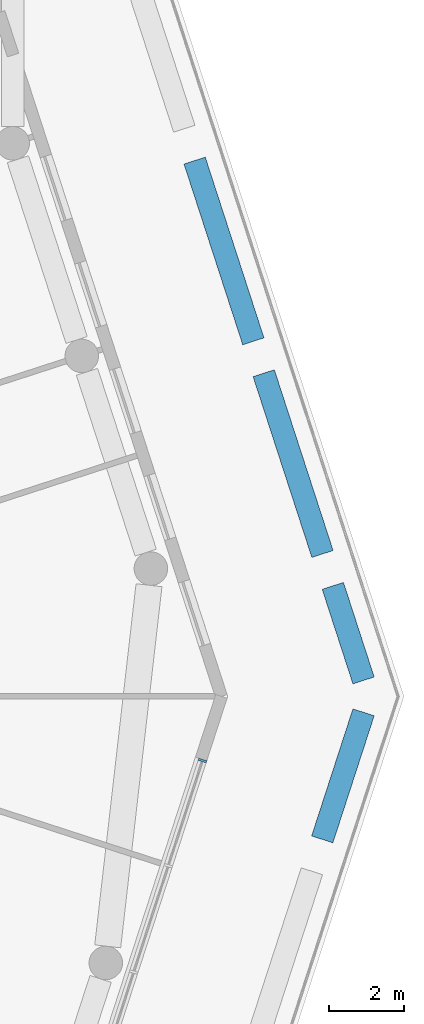
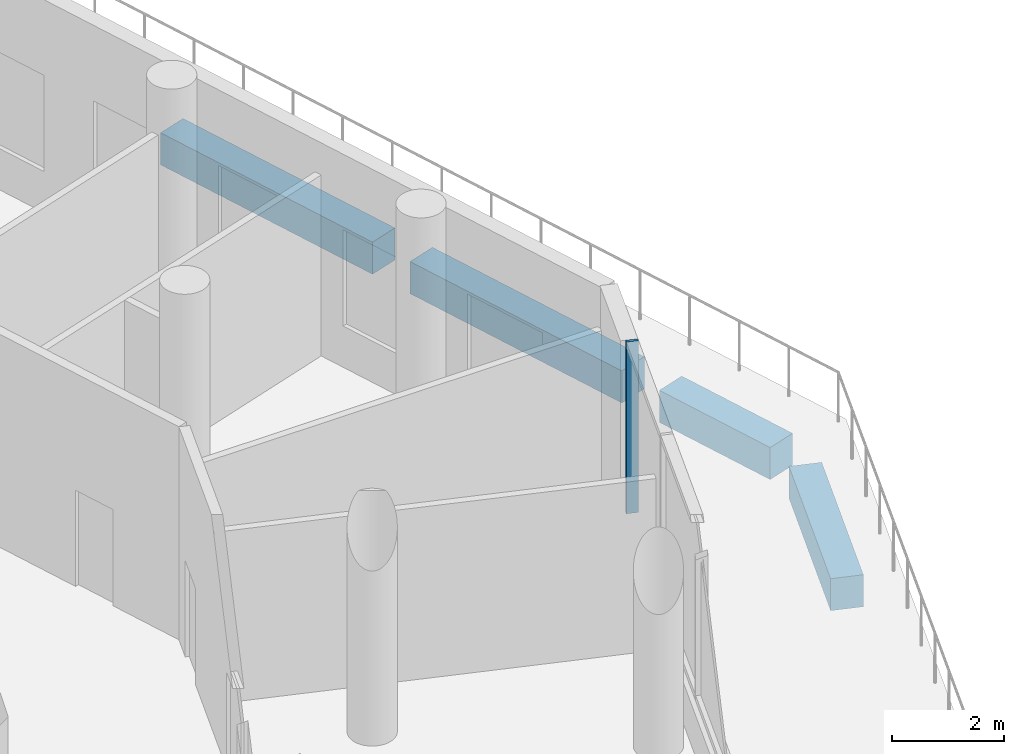
# One storey, part 7 of 19: 4 beams, 1 member, 1 element without a shape of its own.
"""IFC4 building model written with IfcOpenShell, lengths in metres."""

from ifc_helpers import new_model, si_unit, direction, frame, origin, origin_2d, place, context, subcontext, project, spatial, rectangle, extrude, material, material_profile, profile_set, type_object, element, aggregate, save


model = new_model("IFC4")

# Units and contexts
model_context = context("Model", 3, precision=1e-05, world=origin(), true_north=direction((0.0, 1.0)))
body_context = subcontext(model_context, "Body", "Model", "MODEL_VIEW")
ifc_project = project(units=[si_unit("LENGTHUNIT", "METRE"), si_unit("AREAUNIT", "SQUARE_METRE"), si_unit("VOLUMEUNIT", "CUBIC_METRE"), si_unit("PLANEANGLEUNIT", "RADIAN"), si_unit("MASSUNIT", "GRAM", prefix="KILO")], contexts=[model_context])

# Site, building, storey
site_placement = place(None, origin())
site = spatial("IfcSite", under=ifc_project, at=site_placement, CompositionType="ELEMENT")
building_placement = place(site_placement, origin())
building = spatial("IfcBuilding", under=site, at=building_placement, Name="White Candle Pilgrim Tower", CompositionType="ELEMENT")
storey_placement = place(building_placement, frame((0.0, 0.0, 29.0)))
storey = spatial("IfcBuildingStorey", under=building, at=storey_placement, Name="L04", CompositionType="ELEMENT", Elevation=29.0)

# Curtain wall, member
ifc_material_1 = material(Name="Aluminium and glass", Category="aluminium")
curtain_wall_type = type_object("IfcCurtainWallType", Name="Curtain wall CW3 refectory and meeting glazing", PredefinedType="NOTDEFINED", material=ifc_material_1)
curtain_wall_placement = place(storey_placement, origin())
curtain_wall = element("IfcCurtainWall", 1, at=curtain_wall_placement, inside=storey, type_object=curtain_wall_type, Name="Curtain wall CW3 L04 E chamfer", PredefinedType="NOTDEFINED")
ifc_material_2 = material(Name="Aluminium", Category="aluminium")
ifc_material_profile_1 = material_profile(ifc_material_2, rectangle(XDim=0.22509765625, YDim=0.06005859375, at=origin_2d()), Name="CW3 mullion 60x225")
ifc_profile_set_1 = profile_set([ifc_material_profile_1], Name="Aluminium")
member_type = type_object("IfcMemberType", Name="CW3 mullion 60x225", PredefinedType="MULLION", material=ifc_profile_set_1)
member_placement = place(storey_placement, frame((100.41357421875, 58.818115234375, 0.89990234375), z_axis=(0.0, 0.0, 1.0), x_axis=(-0.951056528263, 0.309016957542, 0.0)))
member = element("IfcMember", 2, at=member_placement, type_object=member_type, Name="CW3 mullion 4", PredefinedType="MULLION", context=body_context, shape_type="SweptSolid", body=[
    extrude(rectangle(XDim=0.22509765625, YDim=0.06005859375, at=origin_2d()), origin(), (0.0, 0.0, 1.0), 3.75),
])
aggregate(curtain_wall, [member])

# Beams
ifc_material_3 = material(Name="Concrete C50/60", Category="concrete")
ifc_material_profile_2 = material_profile(ifc_material_3, rectangle(XDim=0.60009765625, YDim=0.699951171875, at=origin_2d()), Name="RC-BM 600x700")
ifc_profile_set_2 = profile_set([ifc_material_profile_2], Name="Concrete C50/60")
beam_type = type_object("IfcBeamType", Name="Spandrel beam RC-BM 600x700 C50/60", PredefinedType="BEAM", material=ifc_profile_set_2)
beam_1_placement = place(storey_placement, frame((103.62890625, 56.70068359375, -0.699951171875), z_axis=(0.309029111375, 0.951052579158, 0.0), x_axis=(-0.951052579158, 0.309029111375, 0.0)))
element("IfcBeam", 3, at=beam_1_placement, inside=storey, type_object=beam_type, Name="L04 spandrel beam B19", PredefinedType="BEAM", context=body_context, shape_type="SweptSolid", body=[
    extrude(rectangle(XDim=0.60009765625, YDim=0.699951171875, at=origin_2d()), origin(), (0.0, 0.0, 1.0), 3.5859375),
])
beam_2_placement = place(storey_placement, frame((104.737060546875, 60.966796875, -0.699951171875), z_axis=(-0.3088357721, 0.951115379894, 0.0), x_axis=(-0.951115379894, -0.3088357721, 0.0)))
element("IfcBeam", 4, at=beam_2_placement, inside=storey, type_object=beam_type, Name="L04 spandrel beam B20", PredefinedType="BEAM", context=body_context, shape_type="SweptSolid", body=[
    extrude(rectangle(XDim=0.60009765625, YDim=0.699951171875, at=origin_2d()), origin(), (0.0, 0.0, 1.0), 2.668701171875),
])
beam_3_placement = place(storey_placement, frame((103.635009765625, 64.36083984375, -0.699951171875), z_axis=(-0.309126113006, 0.951021054582, 0.0), x_axis=(-0.951021054582, -0.309126113006, 0.0)))
element("IfcBeam", 5, at=beam_3_placement, inside=storey, type_object=beam_type, Name="L04 spandrel beam B21", PredefinedType="BEAM", context=body_context, shape_type="SweptSolid", body=[
    extrude(rectangle(XDim=0.60009765625, YDim=0.699951171875, at=origin_2d()), origin(), (0.0, 0.0, 1.0), 5.10107421875),
])
beam_4_placement = place(storey_placement, frame((101.780029296875, 70.06787109375, -0.699951171875), z_axis=(-0.309009217467, 0.951059043131, 0.0), x_axis=(-0.951059043131, -0.309009217467, 0.0)))
element("IfcBeam", 6, at=beam_4_placement, inside=storey, type_object=beam_type, Name="L04 spandrel beam B22", PredefinedType="BEAM", context=body_context, shape_type="SweptSolid", body=[
    extrude(rectangle(XDim=0.60009765625, YDim=0.699951171875, at=origin_2d()), origin(), (0.0, 0.0, 1.0), 5.099853515625),
])

save(model, "model.ifc")
